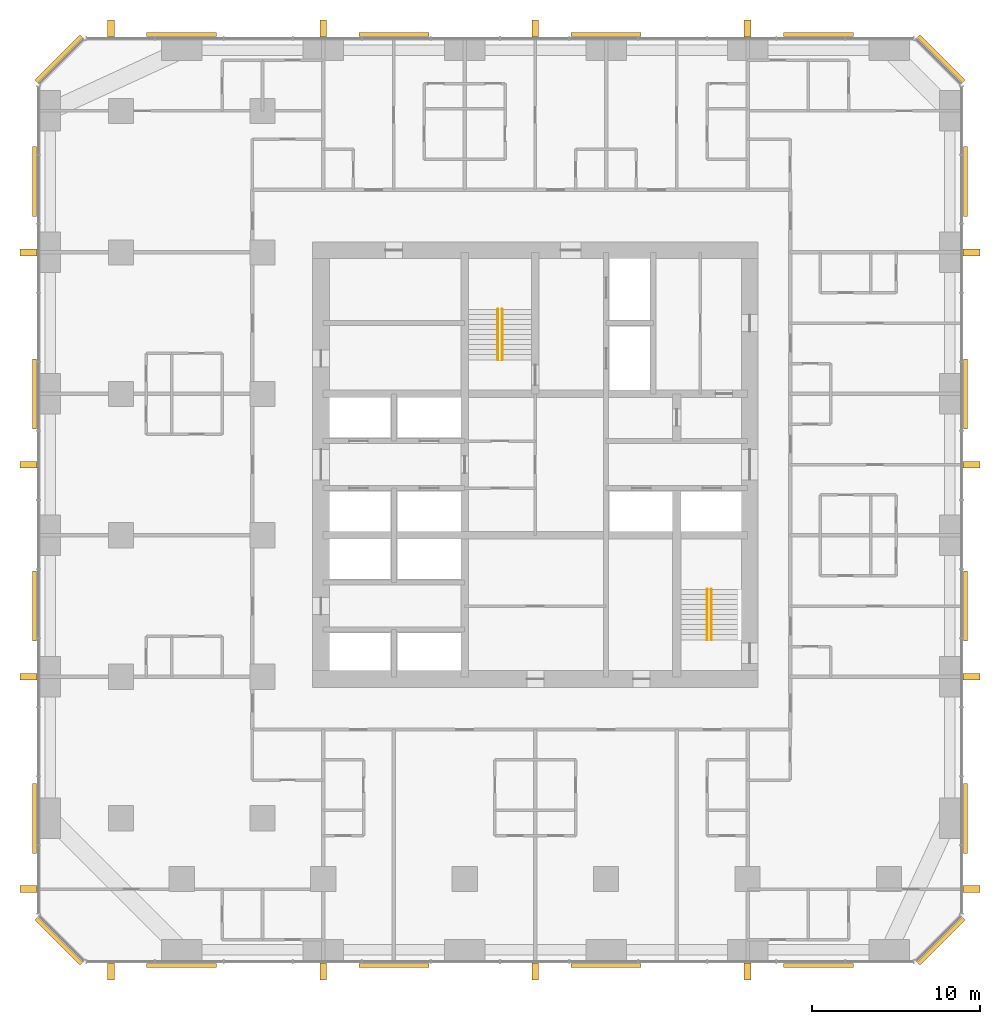
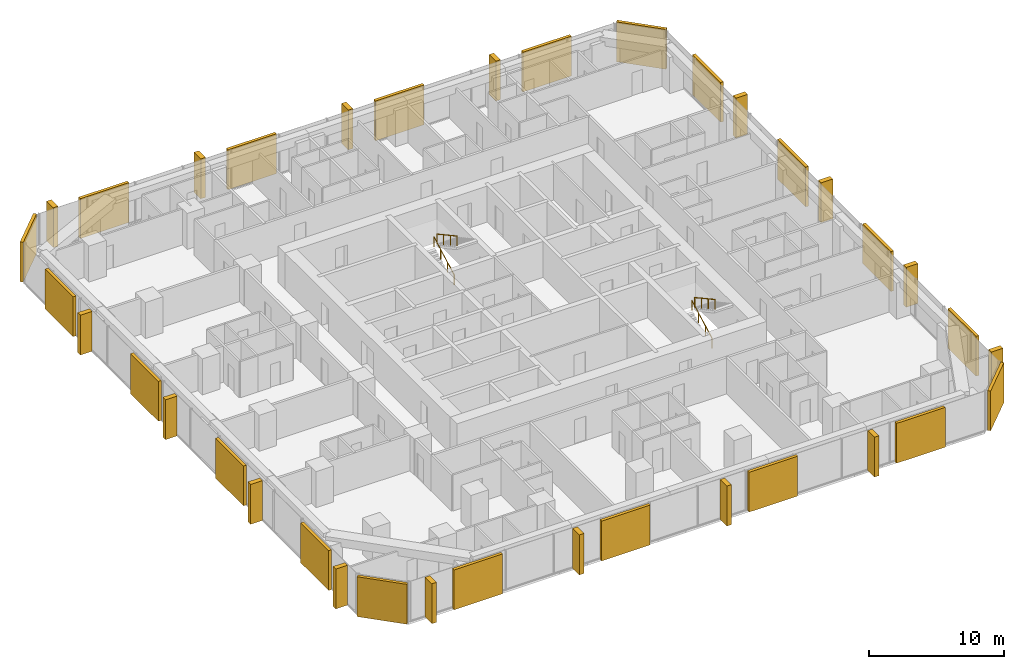
# One storey, part 14 of 14: 20 coverings, 16 shading devices, 4 railings.
"""IFC4 building model written with IfcOpenShell, lengths in metres."""

from ifc_helpers import new_model, si_unit, direction, frame, origin, origin_2d, place, context, subcontext, project, spatial, rectangle, circle, extrude, material, layer, layer_set, type_object, element, save


model = new_model("IFC4")

# Units and contexts
model_context = context("Model", 3, precision=1e-05, world=origin(), true_north=direction((0.0, 1.0)))
body_context = subcontext(model_context, "Body", "Model", "MODEL_VIEW")
ifc_project = project(units=[si_unit("LENGTHUNIT", "METRE"), si_unit("AREAUNIT", "SQUARE_METRE"), si_unit("VOLUMEUNIT", "CUBIC_METRE"), si_unit("PLANEANGLEUNIT", "RADIAN"), si_unit("MASSUNIT", "GRAM", prefix="KILO")], contexts=[model_context])

# Site, building, storey
site_placement = place(None, origin())
site = spatial("IfcSite", under=ifc_project, at=site_placement, CompositionType="ELEMENT")
building_placement = place(site_placement, origin())
building = spatial("IfcBuilding", under=site, at=building_placement, Name="Dunama Terrace Hotel", CompositionType="ELEMENT")
storey_placement = place(building_placement, frame((0.0, 0.0, 129.60009765625)))
storey = spatial("IfcBuildingStorey", under=building, at=storey_placement, Name="L33", CompositionType="ELEMENT", Elevation=129.60009765625)

# Railings
ifc_material_1 = material(Name="Stainless steel handrail", Category="steel")
railing_type = type_object("IfcRailingType", Name="Stair handrail 900", PredefinedType="HANDRAIL", material=ifc_material_1)
railing_1_placement = place(storey_placement, frame((27.175048828125, 35.625, 0.16357421875)))
element("IfcRailing", 1, at=railing_1_placement, inside=storey, type_object=railing_type, Name="Handrail ST1 L33", PredefinedType="HANDRAIL", context=body_context, shape_type="SweptSolid", body=[
    extrude(circle(Radius=0.02392578125, at=origin_2d()), frame((0.0, 0.0, 0.8759765625), z_axis=(0.0, 0.877911954615, 0.47882209634), x_axis=(-1.0, 0.0, 0.0)), (0.0, 0.0, 1.0), 3.417236328125),
    extrude(circle(Radius=0.02099609375, at=origin_2d()), origin(), (0.0, 0.0, 1.0), 0.851806640625),
    extrude(circle(Radius=0.02099609375, at=origin_2d()), frame((0.0, 1.0, 0.54541015625)), (0.0, 0.0, 1.0), 0.851806640625),
    extrude(circle(Radius=0.02099609375, at=origin_2d()), frame((0.0, 2.0, 1.0908203125)), (0.0, 0.0, 1.0), 0.851806640625),
    extrude(circle(Radius=0.02099609375, at=origin_2d()), frame((0.0, 3.0, 1.63623046875)), (0.0, 0.0, 1.0), 0.851806640625),
])
railing_2_placement = place(storey_placement, frame((27.425048828125, 38.625, 1.963623046875)))
element("IfcRailing", 2, at=railing_2_placement, inside=storey, type_object=railing_type, Name="Handrail ST1 L33", PredefinedType="HANDRAIL", context=body_context, shape_type="SweptSolid", body=[
    extrude(circle(Radius=0.02392578125, at=origin_2d()), frame((0.0, 0.0, 0.8759765625), z_axis=(0.0, -0.877911954615, 0.47882209634), x_axis=(1.0, 0.0, 0.0)), (0.0, 0.0, 1.0), 3.417236328125),
    extrude(circle(Radius=0.02099609375, at=origin_2d()), origin(), (0.0, 0.0, 1.0), 0.851806640625),
    extrude(circle(Radius=0.02099609375, at=origin_2d()), frame((0.0, -1.0, 0.54541015625)), (0.0, 0.0, 1.0), 0.851806640625),
    extrude(circle(Radius=0.02099609375, at=origin_2d()), frame((0.0, -2.0, 1.0908203125)), (0.0, 0.0, 1.0), 0.851806640625),
    extrude(circle(Radius=0.02099609375, at=origin_2d()), frame((0.0, -3.0, 1.63623046875)), (0.0, 0.0, 1.0), 0.851806640625),
])
railing_3_placement = place(storey_placement, frame((39.60009765625, 19.0, 0.16357421875)))
element("IfcRailing", 3, at=railing_3_placement, inside=storey, type_object=railing_type, Name="Handrail ST2 L33", PredefinedType="HANDRAIL", context=body_context, shape_type="SweptSolid", body=[
    extrude(circle(Radius=0.02392578125, at=origin_2d()), frame((0.0, 0.0, 0.8759765625), z_axis=(0.0, 0.877911954615, 0.47882209634), x_axis=(-1.0, 0.0, 0.0)), (0.0, 0.0, 1.0), 3.417236328125),
    extrude(circle(Radius=0.02099609375, at=origin_2d()), origin(), (0.0, 0.0, 1.0), 0.851806640625),
    extrude(circle(Radius=0.02099609375, at=origin_2d()), frame((0.0, 1.0, 0.54541015625)), (0.0, 0.0, 1.0), 0.851806640625),
    extrude(circle(Radius=0.02099609375, at=origin_2d()), frame((0.0, 2.0, 1.0908203125)), (0.0, 0.0, 1.0), 0.851806640625),
    extrude(circle(Radius=0.02099609375, at=origin_2d()), frame((0.0, 3.0, 1.63623046875)), (0.0, 0.0, 1.0), 0.851806640625),
])
railing_4_placement = place(storey_placement, frame((39.85009765625, 22.0, 1.963623046875)))
element("IfcRailing", 4, at=railing_4_placement, inside=storey, type_object=railing_type, Name="Handrail ST2 L33", PredefinedType="HANDRAIL", context=body_context, shape_type="SweptSolid", body=[
    extrude(circle(Radius=0.02392578125, at=origin_2d()), frame((0.0, 0.0, 0.8759765625), z_axis=(0.0, -0.877911954615, 0.47882209634), x_axis=(1.0, 0.0, 0.0)), (0.0, 0.0, 1.0), 3.417236328125),
    extrude(circle(Radius=0.02099609375, at=origin_2d()), origin(), (0.0, 0.0, 1.0), 0.851806640625),
    extrude(circle(Radius=0.02099609375, at=origin_2d()), frame((0.0, -1.0, 0.54541015625)), (0.0, 0.0, 1.0), 0.851806640625),
    extrude(circle(Radius=0.02099609375, at=origin_2d()), frame((0.0, -2.0, 1.0908203125)), (0.0, 0.0, 1.0), 0.851806640625),
    extrude(circle(Radius=0.02099609375, at=origin_2d()), frame((0.0, -3.0, 1.63623046875)), (0.0, 0.0, 1.0), 0.851806640625),
])

# Coverings
ifc_material_2 = material(Name="Warm reconstituted stone panel", Category="masonry")
ifc_layer_1 = layer(ifc_material_2, 0.25)
ifc_layer_set_1 = layer_set([ifc_layer_1], Name="Stone diagonal panel")
covering_type = type_object("IfcCoveringType", Name="Stone diagonal panel", PredefinedType="CLADDING", material=ifc_layer_set_1)
for number, where, z_axis, x_axis, name in (
    (5, (8.39990234375, -0.343017578125, 0.001953125), (0.0, 0.0, 1.0), (1.0, 0.0, 0.0), "Stone diagonal panel L33"),
    (6, (21.0, -0.343017578125, 0.001953125), (0.0, 0.0, 1.0), (1.0, 0.0, 0.0), "Stone diagonal panel L33"),
    (7, (33.60009765625, -0.343017578125, 0.001953125), (0.0, 0.0, 1.0), (1.0, 0.0, 0.0), "Stone diagonal panel L33"),
    (8, (46.199951171875, -0.343017578125, 0.001953125), (0.0, 0.0, 1.0), (1.0, 0.0, 0.0), "Stone diagonal panel L33"),
):
    element("IfcCovering", number, at=place(storey_placement, frame(where, z_axis=z_axis, x_axis=x_axis)), inside=storey, type_object=covering_type, Name=name, PredefinedType="CLADDING", context=body_context, shape_type="SweptSolid", body=[
        extrude(rectangle(XDim=4.14990234375, YDim=0.25, at=origin_2d()), origin(), (0.0, 0.0, 1.0), 3.595947265625),
    ])
covering_1_placement = place(storey_placement, frame((53.492919921875, 1.10693359375, 0.001953125), z_axis=(0.0, 0.0, 1.0), x_axis=(0.707106781187, 0.707106781187, 0.0)))
element("IfcCovering", 9, at=covering_1_placement, inside=storey, type_object=covering_type, Name="Stone diagonal panel L33", PredefinedType="CLADDING", context=body_context, shape_type="SweptSolid", body=[
    extrude(rectangle(XDim=3.808349609375, YDim=0.25, at=origin_2d()), origin(), (0.0, 0.0, 1.0), 3.595947265625),
])
for number, where, z_axis, x_axis, name in (
    (10, (54.943115234375, 8.39990234375, 0.001953125), (0.0, 0.0, 1.0), (0.0, 1.0, 0.0), "Stone diagonal panel L33"),
    (11, (54.943115234375, 21.0, 0.001953125), (0.0, 0.0, 1.0), (0.0, 1.0, 0.0), "Stone diagonal panel L33"),
    (12, (54.943115234375, 33.60009765625, 0.001953125), (0.0, 0.0, 1.0), (0.0, 1.0, 0.0), "Stone diagonal panel L33"),
    (13, (54.943115234375, 46.199951171875, 0.001953125), (0.0, 0.0, 1.0), (0.0, 1.0, 0.0), "Stone diagonal panel L33"),
):
    element("IfcCovering", number, at=place(storey_placement, frame(where, z_axis=z_axis, x_axis=x_axis)), inside=storey, type_object=covering_type, Name=name, PredefinedType="CLADDING", context=body_context, shape_type="SweptSolid", body=[
        extrude(rectangle(XDim=4.14990234375, YDim=0.25, at=origin_2d()), origin(), (0.0, 0.0, 1.0), 3.595947265625),
    ])
covering_2_placement = place(storey_placement, frame((53.492919921875, 53.492919921875, 0.001953125), z_axis=(0.0, 0.0, 1.0), x_axis=(-0.707106781187, 0.707106781187, 0.0)))
element("IfcCovering", 14, at=covering_2_placement, inside=storey, type_object=covering_type, Name="Stone diagonal panel L33", PredefinedType="CLADDING", context=body_context, shape_type="SweptSolid", body=[
    extrude(rectangle(XDim=3.808349609375, YDim=0.25, at=origin_2d()), origin(), (0.0, 0.0, 1.0), 3.595947265625),
])
for number, where, z_axis, x_axis, name in (
    (15, (46.199951171875, 54.943115234375, 0.001953125), (0.0, 0.0, 1.0), (-1.0, 0.0, 0.0), "Stone diagonal panel L33"),
    (16, (33.60009765625, 54.943115234375, 0.001953125), (0.0, 0.0, 1.0), (-1.0, 0.0, 0.0), "Stone diagonal panel L33"),
    (17, (21.0, 54.943115234375, 0.001953125), (0.0, 0.0, 1.0), (-1.0, 0.0, 0.0), "Stone diagonal panel L33"),
    (18, (8.39990234375, 54.943115234375, 0.001953125), (0.0, 0.0, 1.0), (-1.0, 0.0, 0.0), "Stone diagonal panel L33"),
):
    element("IfcCovering", number, at=place(storey_placement, frame(where, z_axis=z_axis, x_axis=x_axis)), inside=storey, type_object=covering_type, Name=name, PredefinedType="CLADDING", context=body_context, shape_type="SweptSolid", body=[
        extrude(rectangle(XDim=4.14990234375, YDim=0.25, at=origin_2d()), origin(), (0.0, 0.0, 1.0), 3.595947265625),
    ])
covering_3_placement = place(storey_placement, frame((1.10693359375, 53.492919921875, 0.001953125), z_axis=(0.0, 0.0, 1.0), x_axis=(-0.707106781187, -0.707106781187, 0.0)))
element("IfcCovering", 19, at=covering_3_placement, inside=storey, type_object=covering_type, Name="Stone diagonal panel L33", PredefinedType="CLADDING", context=body_context, shape_type="SweptSolid", body=[
    extrude(rectangle(XDim=3.808349609375, YDim=0.25, at=origin_2d()), origin(), (0.0, 0.0, 1.0), 3.595947265625),
])
for number, where, z_axis, x_axis, name in (
    (20, (-0.343017578125, 46.199951171875, 0.001953125), (0.0, 0.0, 1.0), (0.0, -1.0, 0.0), "Stone diagonal panel L33"),
    (21, (-0.343017578125, 33.60009765625, 0.001953125), (0.0, 0.0, 1.0), (0.0, -1.0, 0.0), "Stone diagonal panel L33"),
    (22, (-0.343017578125, 21.0, 0.001953125), (0.0, 0.0, 1.0), (0.0, -1.0, 0.0), "Stone diagonal panel L33"),
    (23, (-0.343017578125, 8.39990234375, 0.001953125), (0.0, 0.0, 1.0), (0.0, -1.0, 0.0), "Stone diagonal panel L33"),
):
    element("IfcCovering", number, at=place(storey_placement, frame(where, z_axis=z_axis, x_axis=x_axis)), inside=storey, type_object=covering_type, Name=name, PredefinedType="CLADDING", context=body_context, shape_type="SweptSolid", body=[
        extrude(rectangle(XDim=4.14990234375, YDim=0.25, at=origin_2d()), origin(), (0.0, 0.0, 1.0), 3.595947265625),
    ])
covering_4_placement = place(storey_placement, frame((1.10693359375, 1.10693359375, 0.001953125), z_axis=(0.0, 0.0, 1.0), x_axis=(0.707106781187, -0.707106781187, 0.0)))
element("IfcCovering", 24, at=covering_4_placement, inside=storey, type_object=covering_type, Name="Stone diagonal panel L33", PredefinedType="CLADDING", context=body_context, shape_type="SweptSolid", body=[
    extrude(rectangle(XDim=3.808349609375, YDim=0.25, at=origin_2d()), origin(), (0.0, 0.0, 1.0), 3.595947265625),
])

# Shading devices
ifc_material_3 = material(Name="Warm reconstituted stone fin", Category="masonry")
ifc_layer_2 = layer(ifc_material_3, 0.39990234375)
ifc_layer_set_2 = layer_set([ifc_layer_2], Name="Warm stone fin 400x1000")
shading_device_type = type_object("IfcShadingDeviceType", Name="Warm stone fin 400x1000", PredefinedType="USERDEFINED", material=ifc_layer_set_2)
for number, where, z_axis, x_axis, name in (
    (25, (4.199951171875, -0.697998046875, -0.000244140625), (0.0, 0.0, 1.0), (1.0, 0.0, 0.0), "Stone fin"),
    (26, (16.800048828125, -0.697998046875, -0.000244140625), (0.0, 0.0, 1.0), (1.0, 0.0, 0.0), "Stone fin"),
    (27, (29.39990234375, -0.697998046875, -0.000244140625), (0.0, 0.0, 1.0), (1.0, 0.0, 0.0), "Stone fin"),
    (28, (42.0, -0.697998046875, -0.000244140625), (0.0, 0.0, 1.0), (1.0, 0.0, 0.0), "Stone fin"),
    (29, (55.298095703125, 4.199951171875, -0.000244140625), (0.0, 0.0, 1.0), (0.0, 1.0, 0.0), "Stone fin"),
    (30, (55.298095703125, 16.800048828125, -0.000244140625), (0.0, 0.0, 1.0), (0.0, 1.0, 0.0), "Stone fin"),
    (31, (55.298095703125, 29.39990234375, -0.000244140625), (0.0, 0.0, 1.0), (0.0, 1.0, 0.0), "Stone fin"),
    (32, (55.298095703125, 42.0, -0.000244140625), (0.0, 0.0, 1.0), (0.0, 1.0, 0.0), "Stone fin"),
    (33, (42.0, 55.298095703125, -0.000244140625), (0.0, 0.0, 1.0), (-1.0, 0.0, 0.0), "Stone fin"),
    (34, (29.39990234375, 55.298095703125, -0.000244140625), (0.0, 0.0, 1.0), (-1.0, 0.0, 0.0), "Stone fin"),
    (35, (16.800048828125, 55.298095703125, -0.000244140625), (0.0, 0.0, 1.0), (-1.0, 0.0, 0.0), "Stone fin"),
    (36, (4.199951171875, 55.298095703125, -0.000244140625), (0.0, 0.0, 1.0), (-1.0, 0.0, 0.0), "Stone fin"),
    (37, (-0.697998046875, 42.0, -0.000244140625), (0.0, 0.0, 1.0), (0.0, -1.0, 0.0), "Stone fin"),
    (38, (-0.697998046875, 29.39990234375, -0.000244140625), (0.0, 0.0, 1.0), (0.0, -1.0, 0.0), "Stone fin"),
    (39, (-0.697998046875, 16.800048828125, -0.000244140625), (0.0, 0.0, 1.0), (0.0, -1.0, 0.0), "Stone fin"),
    (40, (-0.697998046875, 4.199951171875, -0.000244140625), (0.0, 0.0, 1.0), (0.0, -1.0, 0.0), "Stone fin"),
):
    element("IfcShadingDevice", number, at=place(storey_placement, frame(where, z_axis=z_axis, x_axis=x_axis)), inside=storey, type_object=shading_device_type, Name=name, ObjectType="FIN", PredefinedType="USERDEFINED", context=body_context, shape_type="SweptSolid", body=[
        extrude(rectangle(XDim=0.39990234375, YDim=1.0, at=origin_2d()), origin(), (0.0, 0.0, 1.0), 3.60009765625),
    ])

save(model, "model.ifc")
